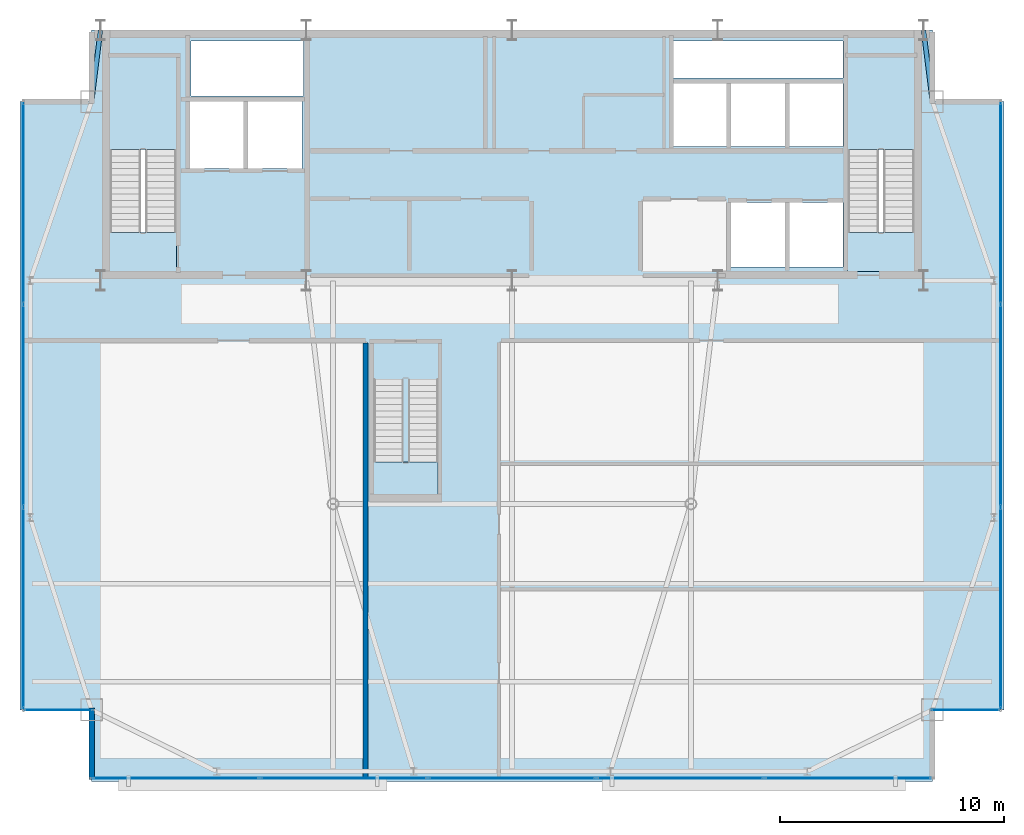
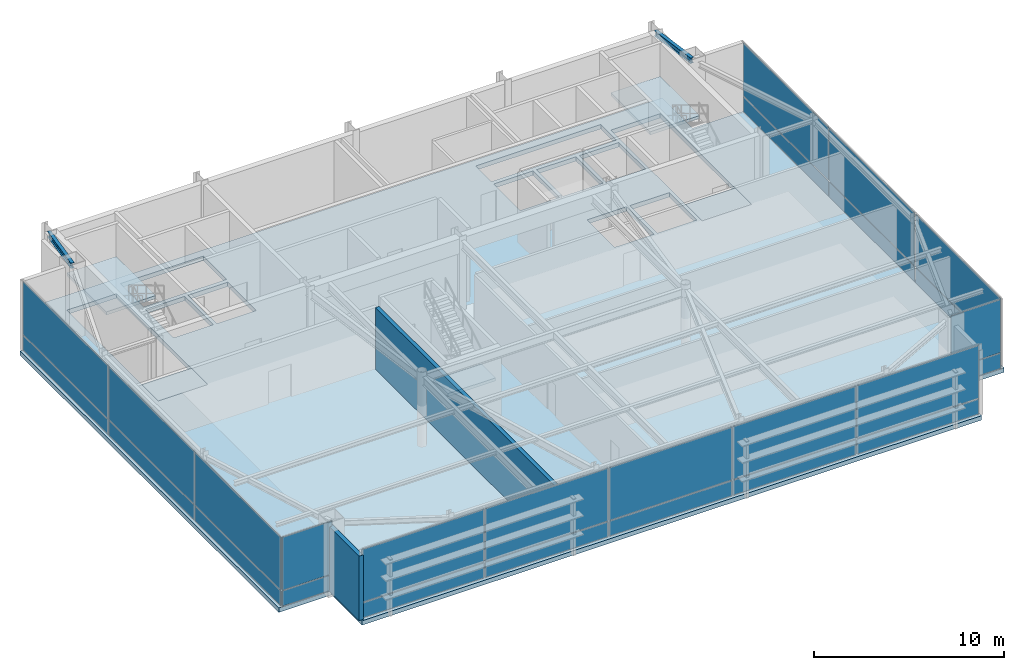
# One storey, part 17 of 21: 26 plates, 6 slabs, 2 beams, 2 walls, 8 elements without a shape of their own.
"""IFC4 building model written with IfcOpenShell, lengths in metres."""

import ifcopenshell
import ifcopenshell.guid

model = None  # the IFC model being written
_history = None  # IfcOwnerHistory: only IFC2X3 demands one
_inside = {}  # id of a spatial element -> (the spatial element, [elements in it])
_under = {}  # id of a project, library or spatial element -> (it, [spatial elements below it])
_declared = {}  # id of a project -> (the project, [libraries it declares])
_typed = {}  # id of a type object -> (the type object, [elements of that type])
_made_of = {}  # id of a material, layer set ... -> (it, [elements and type objects made of it])


def new_model(schema):
    """Start an empty IFC model of exactly this schema.

    Asked for "IFC4X3", IfcOpenShell would pick the latest addendum, in which some entities
    have other attributes; the version numbers below select the first issue.
    IFC2X3 requires an IfcOwnerHistory on every rooted entity: one is made here for all.
    """
    global model, _history
    if schema == "IFC4X3":
        model = ifcopenshell.file(schema_version=(4, 3, 0, 0))
    else:
        model = ifcopenshell.file(schema=schema)
    _inside.clear()
    _under.clear()
    _declared.clear()
    _typed.clear()
    _made_of.clear()
    _history = None
    if model.schema == "IFC2X3":
        org = make("IfcOrganization", Name="unknown")
        user = make(
            "IfcPersonAndOrganization",
            ThePerson=make("IfcPerson", FamilyName="unknown"),
            TheOrganization=org,
        )
        app = make(
            "IfcApplication",
            ApplicationDeveloper=org,
            Version="unknown",
            ApplicationFullName="unknown",
            ApplicationIdentifier="unknown",
        )
        _history = make(
            "IfcOwnerHistory",
            OwningUser=user,
            OwningApplication=app,
            ChangeAction="ADDED",
            CreationDate=0,
        )
    return model


def make(cls, **values):
    """One entity of the class cls with the attributes given. An attribute that is None is left unset."""
    return model.create_entity(
        cls, **{name: value for name, value in values.items() if value is not None}
    )


def rooted(cls, **values):
    """An entity with a GlobalId (a new one), such as an element, a storey or a relation."""
    return make(cls, GlobalId=ifcopenshell.guid.new(), OwnerHistory=_history, **values)


def si_unit(unit_type, name, prefix=None):
    """IfcSIUnit, for example si_unit("LENGTHUNIT", "METRE", prefix="MILLI")."""
    return make("IfcSIUnit", UnitType=unit_type, Prefix=prefix, Name=name)


def assignment(units):
    """IfcUnitAssignment: the units of a project."""
    return None if units is None else make("IfcUnitAssignment", Units=units)


def point(xyz):
    """IfcCartesianPoint."""
    return None if xyz is None else make("IfcCartesianPoint", Coordinates=xyz)


def direction(xyz):
    """IfcDirection."""
    return None if xyz is None else make("IfcDirection", DirectionRatios=xyz)


def frame(location, z_axis=None, x_axis=None):
    """IfcAxis2Placement3D, a coordinate frame: its origin and axes. An axis left out is left unset."""
    return make(
        "IfcAxis2Placement3D",
        Location=point(location),
        Axis=direction(z_axis),
        RefDirection=direction(x_axis),
    )


def frame_2d(location, x_axis=None):
    """IfcAxis2Placement2D, a coordinate frame in the plane: its origin and x axis."""
    return make(
        "IfcAxis2Placement2D", Location=point(location), RefDirection=direction(x_axis)
    )


def origin():
    """The frame at (0, 0, 0) with its axes left unset."""
    return frame((0.0, 0.0, 0.0))


def origin_2d():
    """The frame at (0, 0) in the plane with its x axis left unset."""
    return frame_2d((0.0, 0.0))


def place(relative_to, where):
    """IfcLocalPlacement: puts the frame where relative to a parent placement (None: the world)."""
    return make(
        "IfcLocalPlacement", PlacementRelTo=relative_to, RelativePlacement=where
    )


def context(
    kind, dimensions, precision=None, world=None, true_north=None, identifier=None
):
    """IfcGeometricRepresentationContext, for example the 3D "Model" context."""
    return make(
        "IfcGeometricRepresentationContext",
        ContextIdentifier=identifier,
        ContextType=kind,
        CoordinateSpaceDimension=dimensions,
        Precision=precision,
        WorldCoordinateSystem=world,
        TrueNorth=true_north,
    )


def subcontext(parent, identifier, kind, view, scale=None):
    """IfcGeometricRepresentationSubContext, for example "Body" below "Model"."""
    return make(
        "IfcGeometricRepresentationSubContext",
        ContextIdentifier=identifier,
        ContextType=kind,
        ParentContext=parent,
        TargetScale=scale,
        TargetView=view,
    )


def project(units=None, contexts=None):
    """IfcProject with its units and contexts."""
    return rooted(
        "IfcProject",
        Name="project",
        RepresentationContexts=contexts,
        UnitsInContext=assignment(units),
    )


def spatial(cls, under=None, at=None, **own):
    """A site, building, storey or space (cls), placed at a placement, below another one or the project."""
    s = rooted(cls, ObjectPlacement=at, **own)
    if under is not None:
        _under.setdefault(under.id(), (under, []))[1].append(s)
    return s


def polyline(points):
    """IfcPolyline through the points."""
    return make("IfcPolyline", Points=[point(p) for p in points])


def profile(cls, at=None, kind="AREA", **sizes):
    """A parametric profile (cls). Its sizes go by their IFC names, for example OverallWidth=200.0."""
    return make(cls, ProfileType=kind, Position=at, **sizes)


def rectangle(**sizes):
    """IfcRectangleProfileDef."""
    return profile("IfcRectangleProfileDef", **sizes)


def i_section(**sizes):
    """IfcIShapeProfileDef."""
    return profile("IfcIShapeProfileDef", **sizes)


def outline(outer, holes=None, kind="AREA"):
    """IfcArbitraryClosedProfileDef: a profile drawn as a closed curve; with holes, ...WithVoids."""
    if holes is None:
        return make("IfcArbitraryClosedProfileDef", ProfileType=kind, OuterCurve=outer)
    return make(
        "IfcArbitraryProfileDefWithVoids",
        ProfileType=kind,
        OuterCurve=outer,
        InnerCurves=holes,
    )


def extrude(swept, where, along, depth):
    """IfcExtrudedAreaSolid: the profile swept, set in the frame where, extruded along a direction by depth."""
    return make(
        "IfcExtrudedAreaSolid",
        SweptArea=swept,
        Position=where,
        ExtrudedDirection=direction(along),
        Depth=depth,
    )


def shape(context_of_items, identifier, shape_type, items):
    """IfcShapeRepresentation: the items that make up one representation, for example the "Body"."""
    return make(
        "IfcShapeRepresentation",
        ContextOfItems=context_of_items,
        RepresentationIdentifier=identifier,
        RepresentationType=shape_type,
        Items=items,
    )


def source(mapping_origin, context_of_items, identifier, shape_type, items):
    """IfcRepresentationMap: a shape defined once, which mapped items show again and again."""
    return make(
        "IfcRepresentationMap",
        MappingOrigin=mapping_origin,
        MappedRepresentation=shape(context_of_items, identifier, shape_type, items),
    )


def transform(
    local_origin,
    x_axis=None,
    y_axis=None,
    z_axis=None,
    scale=None,
    scale2=None,
    scale3=None,
    uniform=True,
):
    """IfcCartesianTransformationOperator3D, or its non-uniform kind. x_axis, y_axis, z_axis: its Axis1, 2, 3."""
    if uniform:
        return make(
            "IfcCartesianTransformationOperator3D",
            Axis1=direction(x_axis),
            Axis2=direction(y_axis),
            LocalOrigin=point(local_origin),
            Scale=scale,
            Axis3=direction(z_axis),
        )
    return make(
        "IfcCartesianTransformationOperator3DnonUniform",
        Axis1=direction(x_axis),
        Axis2=direction(y_axis),
        LocalOrigin=point(local_origin),
        Scale=scale,
        Axis3=direction(z_axis),
        Scale2=scale2,
        Scale3=scale3,
    )


def mapped(mapping_source, mapping_target):
    """IfcMappedItem: shows the shape of a source again, moved by a transform."""
    return make(
        "IfcMappedItem", MappingSource=mapping_source, MappingTarget=mapping_target
    )


def material(Name=None, Category=None):
    """IfcMaterial."""
    return make("IfcMaterial", Name=Name, Category=Category)


def layer(
    of_material, thickness, ventilated=None, Name=None, Category=None, Priority=None
):
    """IfcMaterialLayer: one layer of a wall or slab, of a material (None: an air gap)."""
    return make(
        "IfcMaterialLayer",
        Material=of_material,
        LayerThickness=thickness,
        IsVentilated=ventilated,
        Name=Name,
        Category=Category,
        Priority=Priority,
    )


def layer_set(layers, Name=None):
    """IfcMaterialLayerSet."""
    return make("IfcMaterialLayerSet", MaterialLayers=layers, LayerSetName=Name)


def material_profile(
    of_material, cross_section, Name=None, Category=None, Priority=None
):
    """IfcMaterialProfile: a cross section and its material."""
    return make(
        "IfcMaterialProfile",
        Name=Name,
        Material=of_material,
        Profile=cross_section,
        Priority=Priority,
        Category=Category,
    )


def profile_set(profiles, Name=None, composite=None):
    """IfcMaterialProfileSet."""
    return make(
        "IfcMaterialProfileSet",
        Name=Name,
        MaterialProfiles=profiles,
        CompositeProfile=composite,
    )


def made_of(thing, what):
    """Note that an element or type object is made of a material, layer set ...; save() writes the relation."""
    if what is not None:
        _made_of.setdefault(what.id(), (what, []))[1].append(thing)
    return thing


def type_object(cls, material=None, **own):
    """A type object (cls), such as IfcWallType, which elements share."""
    return made_of(rooted(cls, **own), material)


def type_shapes(of_type, sources):
    """Give a type object the sources (RepresentationMaps) that its elements show as mapped items."""
    of_type.RepresentationMaps = sources


def element(
    cls,
    number,
    at=None,
    inside=None,
    cuts=None,
    type_object=None,
    material=None,
    context=None,
    identifier="Body",
    shape_type=None,
    held_by="IfcProductDefinitionShape",
    body=None,
    shapes=None,
    **own,
):
    """One element of the class cls, such as IfcWall. Its Tag is "e" and its number.

    at: its placement. inside: the storey or other place that contains it. cuts: it is an
    opening in that element (IfcRelVoidsElement). A single representation is given by context,
    identifier, shape_type and body (its items); several are given by shapes. held_by: the class
    of the entity that holds the representations. save() writes the other relations.
    """
    e = rooted(cls, Tag="e%d" % number, ObjectPlacement=at, **own)
    if body is not None:
        shapes = [shape(context, identifier, shape_type, body)]
    if shapes is not None:
        e.Representation = make(held_by, Representations=shapes)
    if inside is not None:
        _inside.setdefault(inside.id(), (inside, []))[1].append(e)
    if cuts is not None:
        rooted(
            "IfcRelVoidsElement", RelatingBuildingElement=cuts, RelatedOpeningElement=e
        )
    if type_object is not None:
        _typed.setdefault(type_object.id(), (type_object, []))[1].append(e)
    return made_of(e, material)


def aggregate(whole, parts):
    """IfcRelAggregates: a whole, such as a stair, and the parts it consists of."""
    return rooted("IfcRelAggregates", RelatingObject=whole, RelatedObjects=parts)


def save(model, path):
    """Write the relations noted so far, then the file.

    IfcRelAggregates (storeys below a building ...), IfcRelContainedInSpatialStructure (elements
    in a storey), IfcRelDefinesByType, IfcRelAssociatesMaterial and IfcRelDeclares: one each for
    every whole, place, type object, material and project.
    """
    for whole, parts in _under.values():
        aggregate(whole, parts)
    for where, things in _inside.values():
        rooted(
            "IfcRelContainedInSpatialStructure",
            RelatedElements=things,
            RelatingStructure=where,
        )
    for kind, things in _typed.values():
        rooted("IfcRelDefinesByType", RelatedObjects=things, RelatingType=kind)
    for what, things in _made_of.values():
        rooted("IfcRelAssociatesMaterial", RelatedObjects=things, RelatingMaterial=what)
    for by, libraries in _declared.values():
        rooted("IfcRelDeclares", RelatingContext=by, RelatedDefinitions=libraries)
    model.write(path)


model = new_model("IFC4")

# Units and contexts
model_context = context("Model", 3, precision=1e-05, world=origin(), true_north=direction((0.0, 1.0)))
body_context = subcontext(model_context, "Body", "Model", "MODEL_VIEW")
ifc_project = project(units=[si_unit("LENGTHUNIT", "METRE"), si_unit("AREAUNIT", "SQUARE_METRE"), si_unit("VOLUMEUNIT", "CUBIC_METRE"), si_unit("PLANEANGLEUNIT", "RADIAN"), si_unit("MASSUNIT", "GRAM", prefix="KILO")], contexts=[model_context])

# Site, building, storey
site_placement = place(None, origin())
site = spatial("IfcSite", under=ifc_project, at=site_placement, CompositionType="ELEMENT")
building_placement = place(site_placement, origin())
building = spatial("IfcBuilding", under=site, at=building_placement, Name="Varnel Quay Broadcast Tower", CompositionType="ELEMENT")
storey_placement = place(building_placement, frame((0.0, 0.0, 300.199951171875)))
storey = spatial("IfcBuildingStorey", under=building, at=storey_placement, Name="L75", CompositionType="ELEMENT", Elevation=300.199951171875)

# Beams
ifc_material_1 = material(Name="Structural Steel CSA G40.21 350W", Category="steel")
ifc_material_profile = material_profile(ifc_material_1, i_section(OverallWidth=0.205078125, OverallDepth=0.35400390625, WebThickness=0.009521484375, FlangeThickness=0.016845703125, FilletRadius=0.012939453125, at=origin_2d()), Name="W360X79")
ifc_profile_set = profile_set([ifc_material_profile], Name="Structural Steel CSA G40.21 350W")
beam_type = type_object("IfcBeamType", Name="Beam_W360X79", PredefinedType="SPANDREL", material=ifc_profile_set)
shared_shape_1 = source(origin(), body_context, "Body", "SweptSolid", [
    extrude(i_section(OverallWidth=0.205078125, OverallDepth=0.35400390625, WebThickness=0.009521484375, FlangeThickness=0.016845703125, FilletRadius=0.012939453125, at=origin_2d()), origin(), (0.0, 0.0, 1.0), 3.18505859375),
])
type_shapes(beam_type, [shared_shape_1])
for number, where, z_axis, x_axis, name in (
    (1, (15.202392578125, 43.619873046875, 4.343017578125), (0.124025300311, 0.992279055953, 0.0), (-0.992279055953, 0.124025300311, 0.0), "L75 NW Tie Spandrel"),
    (2, (52.402587890625, 46.7802734375, 4.343017578125), (0.124025300311, -0.992279055953, 0.0), (0.992279055953, 0.124025300311, 0.0), "L75 NE Tie Spandrel"),
):
    element("IfcBeam", number, at=place(storey_placement, frame(where, z_axis=z_axis, x_axis=x_axis)), inside=storey, type_object=beam_type, Name=name, PredefinedType="SPANDREL", context=body_context, shape_type="MappedRepresentation", body=[
        mapped(shared_shape_1, transform((0.0, 0.0, 0.0), x_axis=(1.0, 0.0, 0.0), y_axis=(0.0, 1.0, 0.0), z_axis=(0.0, 0.0, 1.0), scale=1.0)),
    ])

# Slabs
ifc_material_2 = material(Name="Concrete CSA A23.3 C50/60", Category="concrete")
ifc_layer_1 = layer(ifc_material_2, 0.280029296875, Name="Concrete CSA A23.3 C50/60")
ifc_layer_set_1 = layer_set([ifc_layer_1], Name="Concrete CSA A23.3 C50/60")
slab_type_1 = type_object("IfcSlabType", Name="Slab_Floor280", PredefinedType="FLOOR", material=ifc_layer_set_1)
slab_1_placement = place(storey_placement, frame((0.0, 0.0, -0.280029296875)))
element("IfcSlab", 3, at=slab_1_placement, inside=storey, type_object=slab_type_1, Name="L75 Structural Slab", PredefinedType="FLOOR", context=body_context, shape_type="SweptSolid", body=[
    extrude(outline(polyline([(15.199951171875, 13.199951171875), (52.800048828125, 13.199951171875), (52.800048828125, 16.39990234375), (56.0, 16.39990234375), (56.0, 43.60009765625), (52.800048828125, 43.60009765625), (52.800048828125, 46.800048828125), (15.199951171875, 46.800048828125), (15.199951171875, 43.60009765625), (12.0, 43.60009765625), (12.0, 16.39990234375), (15.199951171875, 16.39990234375), (15.199951171875, 13.199951171875)]), holes=[polyline([(19.0, 36.0), (16.0, 36.0), (16.0, 45.60009765625), (19.0, 45.60009765625), (19.0, 36.0)]), polyline([(19.60009765625, 40.60009765625), (19.60009765625, 43.60009765625), (22.0, 43.60009765625), (22.0, 40.60009765625), (19.60009765625, 40.60009765625)]), polyline([(22.199951171875, 40.60009765625), (22.199951171875, 43.60009765625), (24.60009765625, 43.60009765625), (24.60009765625, 40.60009765625), (22.199951171875, 40.60009765625)]), polyline([(41.199951171875, 44.39990234375), (43.60009765625, 44.39990234375), (43.60009765625, 41.60009765625), (41.199951171875, 41.60009765625), (41.199951171875, 44.39990234375)]), polyline([(43.800048828125, 44.39990234375), (46.199951171875, 44.39990234375), (46.199951171875, 41.60009765625), (43.800048828125, 41.60009765625), (43.800048828125, 44.39990234375)]), polyline([(19.64990234375, 43.85009765625), (19.64990234375, 46.300048828125), (24.679931640625, 46.300048828125), (24.679931640625, 43.85009765625), (19.64990234375, 43.85009765625)]), polyline([(43.800048828125, 39.10009765625), (46.199951171875, 39.10009765625), (46.199951171875, 36.199951171875), (43.800048828125, 36.199951171875), (43.800048828125, 39.10009765625)]), polyline([(46.39990234375, 39.10009765625), (48.800048828125, 39.10009765625), (48.800048828125, 36.199951171875), (46.39990234375, 36.199951171875), (46.39990234375, 39.10009765625)]), polyline([(52.0, 36.0), (49.0, 36.0), (49.0, 45.60009765625), (52.0, 45.60009765625), (52.0, 36.0)]), polyline([(46.39990234375, 44.39990234375), (48.800048828125, 44.39990234375), (48.800048828125, 41.60009765625), (46.39990234375, 41.60009765625), (46.39990234375, 44.39990234375)]), polyline([(41.199951171875, 46.300048828125), (48.800048828125, 46.300048828125), (48.800048828125, 44.64990234375), (41.199951171875, 44.64990234375), (41.199951171875, 46.300048828125)])]), origin(), (0.0, 0.0, 1.0), 0.280029296875),
])
ifc_layer_2 = layer(ifc_material_2, 0.25, Name="Concrete CSA A23.3 C50/60")
ifc_layer_set_2 = layer_set([ifc_layer_2], Name="Concrete CSA A23.3 C50/60")
slab_type_2 = type_object("IfcSlabType", Name="Slab_StairFloorLanding250", PredefinedType="FLOOR", material=ifc_layer_set_2)
slab_2_placement = place(storey_placement, frame((0.0, 0.0, -0.280029296875)))
element("IfcSlab", 4, at=slab_2_placement, inside=storey, type_object=slab_type_2, Name="L75 ST-01 Structural Floor Landing Slab", PredefinedType="FLOOR", context=body_context, shape_type="SweptSolid", body=[
    extrude(outline(polyline([(19.0, 36.0), (19.0, 37.75), (16.0, 37.75), (16.0, 36.0), (19.0, 36.0)])), origin(), (0.0, 0.0, 1.0), 0.280029296875),
])
slab_3_placement = place(storey_placement, frame((0.0, 0.0, -0.280029296875)))
element("IfcSlab", 5, at=slab_3_placement, inside=storey, type_object=slab_type_2, Name="L75 ST-02 Structural Floor Landing Slab", PredefinedType="FLOOR", context=body_context, shape_type="SweptSolid", body=[
    extrude(outline(polyline([(52.0, 36.0), (52.0, 37.75), (49.0, 37.75), (49.0, 36.0), (52.0, 36.0)])), origin(), (0.0, 0.0, 1.0), 0.280029296875),
])

# Stair, slab
ifc_material_3 = material(Name="Precast Structural Concrete C40/50", Category="concrete")
stair_type_1 = type_object("IfcStairType", Name="Stair_ST-01", PredefinedType="HALF_TURN_STAIR", material=ifc_material_3)
stair_1_placement = place(storey_placement, origin())
stair_1 = element("IfcStair", 6, at=stair_1_placement, inside=storey, type_object=stair_type_1, Name="L75 West Core Exit Stair 1", PredefinedType="HALF_TURN_STAIR")
ifc_layer_3 = layer(ifc_material_3, 0.199951171875, Name="Precast Structural Concrete C40/50")
ifc_layer_set_3 = layer_set([ifc_layer_3], Name="Precast Structural Concrete C40/50")
slab_type_3 = type_object("IfcSlabType", Name="Slab_StairLanding200", PredefinedType="LANDING", material=ifc_layer_set_3)
slab_4_placement = place(storey_placement, frame((0.0, 0.0, 2.199951171875)))
slab_4 = element("IfcSlab", 7, at=slab_4_placement, type_object=slab_type_3, Name="ST-01 landing 1", PredefinedType="LANDING", context=body_context, shape_type="SweptSolid", body=[
    extrude(outline(polyline([(19.0, 41.455078125), (19.0, 45.60009765625), (16.0, 45.60009765625), (16.0, 41.455078125), (19.0, 41.455078125)])), origin(), (0.0, 0.0, 1.0), 0.2001953125),
])
aggregate(stair_1, [slab_4])

stair_type_2 = type_object("IfcStairType", Name="Stair_ST-02", PredefinedType="HALF_TURN_STAIR", material=ifc_material_3)
stair_2_placement = place(storey_placement, origin())
stair_2 = element("IfcStair", 8, at=stair_2_placement, inside=storey, type_object=stair_type_2, Name="L75 East Core Exit Stair 2", PredefinedType="HALF_TURN_STAIR")
slab_5_placement = place(storey_placement, frame((0.0, 0.0, 2.199951171875)))
slab_5 = element("IfcSlab", 9, at=slab_5_placement, type_object=slab_type_3, Name="ST-02 landing 1", PredefinedType="LANDING", context=body_context, shape_type="SweptSolid", body=[
    extrude(outline(polyline([(52.0, 41.455078125), (52.0, 45.60009765625), (49.0, 45.60009765625), (49.0, 41.455078125), (52.0, 41.455078125)])), origin(), (0.0, 0.0, 1.0), 0.2001953125),
])
aggregate(stair_2, [slab_5])

stair_type_3 = type_object("IfcStairType", Name="Stair_ST-04", PredefinedType="HALF_TURN_STAIR", material=ifc_material_3)
stair_3_placement = place(storey_placement, origin())
stair_3 = element("IfcStair", 10, at=stair_3_placement, inside=storey, type_object=stair_type_3, Name="L75 Observation Gallery Stair 4", PredefinedType="HALF_TURN_STAIR")
slab_6_placement = place(storey_placement, frame((0.0, 0.0, 2.199951171875)))
slab_6 = element("IfcSlab", 11, at=slab_6_placement, type_object=slab_type_3, Name="ST-04 landing 1", PredefinedType="LANDING", context=body_context, shape_type="SweptSolid", body=[
    extrude(outline(polyline([(27.800048828125, 27.4951171875), (27.800048828125, 26.0), (30.699951171875, 26.0), (30.699951171875, 27.4951171875), (27.800048828125, 27.4951171875)])), origin(), (0.0, 0.0, 1.0), 0.2001953125),
])
aggregate(stair_3, [slab_6])

# Curtain wall, plates
ifc_material_4 = material(Name="Anodised Bronze Aluminium 6063-T6", Category="aluminium")
ifc_layer_4 = layer(ifc_material_4, 0.18994140625, Name="Anodised Bronze Aluminium 6063-T6")
ifc_layer_set_4 = layer_set([ifc_layer_4], Name="Anodised Bronze Aluminium 6063-T6")
curtain_wall_type_1 = type_object("IfcCurtainWallType", Name="CW_SkyObsHighVis", PredefinedType="NOTDEFINED", material=ifc_layer_set_4)
curtain_wall_1_placement = place(storey_placement, origin())
curtain_wall_1 = element("IfcCurtainWall", 12, at=curtain_wall_1_placement, inside=storey, type_object=curtain_wall_type_1, Name="L75 South Unitised Curtain Wall 1", PredefinedType="NOTDEFINED")
ifc_material_5 = material(Name="Triple-Glazed Clear High-Vision Low-E Glass", Category="glass")
ifc_layer_5 = layer(ifc_material_5, 0.0380859375, Name="Triple-Glazed Clear High-Vision Low-E Glass")
ifc_layer_set_5 = layer_set([ifc_layer_5], Name="Triple-Glazed Clear High-Vision Low-E Glass")
plate_type_1 = type_object("IfcPlateType", Name="Panel_CWS-05", PredefinedType="CURTAIN_PANEL", material=ifc_layer_set_5)
shared_shape_2 = source(origin(), body_context, "Body", "SweptSolid", [
    extrude(rectangle(XDim=7.407470703125, YDim=0.0380859375, at=origin_2d()), origin(), (0.0, 0.0, 1.0), 0.9599609375),
])
plate_1_placement = place(storey_placement, frame((18.978759765625, 13.35009765625, 0.06005859375), z_axis=(0.0, 0.0, 1.0), x_axis=(1.0, 0.0, 0.0)))
plate_1 = element("IfcPlate", 13, at=plate_1_placement, type_object=plate_type_1, Name="CWS-05 panel 1.1", PredefinedType="CURTAIN_PANEL", context=body_context, shape_type="MappedRepresentation", body=[
    mapped(shared_shape_2, transform((0.0, 0.0, 0.0), x_axis=(1.0, 0.0, 0.0), y_axis=(0.0, 1.0, 0.0), z_axis=(0.0, 0.0, 1.0), scale=1.0)),
])
plate_2_placement = place(storey_placement, frame((49.021240234375, 13.35009765625, 0.06005859375), z_axis=(0.0, 0.0, 1.0), x_axis=(1.0, 0.0, 0.0)))
plate_2 = element("IfcPlate", 14, at=plate_2_placement, type_object=plate_type_1, Name="CWS-05 panel 5.1", PredefinedType="CURTAIN_PANEL", context=body_context, shape_type="MappedRepresentation", body=[
    mapped(shared_shape_2, transform((0.0, 0.0, 0.0), x_axis=(1.0, 0.0, 0.0), y_axis=(0.0, 1.0, 0.0), z_axis=(0.0, 0.0, 1.0), scale=1.0)),
])
shared_shape_3 = source(origin(), body_context, "Body", "SweptSolid", [
    extrude(rectangle(XDim=7.407470703125, YDim=0.0380859375, at=origin_2d()), origin(), (0.0, 0.0, 1.0), 3.3798828125),
])
plate_3_placement = place(storey_placement, frame((18.978759765625, 13.35009765625, 1.080078125), z_axis=(0.0, 0.0, 1.0), x_axis=(1.0, 0.0, 0.0)))
plate_3 = element("IfcPlate", 15, at=plate_3_placement, type_object=plate_type_1, Name="CWS-05 panel 1.2", PredefinedType="CURTAIN_PANEL", context=body_context, shape_type="MappedRepresentation", body=[
    mapped(shared_shape_3, transform((0.0, 0.0, 0.0), x_axis=(1.0, 0.0, 0.0), y_axis=(0.0, 1.0, 0.0), z_axis=(0.0, 0.0, 1.0), scale=1.0)),
])
plate_4_placement = place(storey_placement, frame((49.021240234375, 13.35009765625, 1.080078125), z_axis=(0.0, 0.0, 1.0), x_axis=(1.0, 0.0, 0.0)))
plate_4 = element("IfcPlate", 16, at=plate_4_placement, type_object=plate_type_1, Name="CWS-05 panel 5.2", PredefinedType="CURTAIN_PANEL", context=body_context, shape_type="MappedRepresentation", body=[
    mapped(shared_shape_3, transform((0.0, 0.0, 0.0), x_axis=(1.0, 0.0, 0.0), y_axis=(0.0, 1.0, 0.0), z_axis=(0.0, 0.0, 1.0), scale=1.0)),
])
shared_shape_4 = source(origin(), body_context, "Body", "SweptSolid", [
    extrude(rectangle(XDim=7.445068359375, YDim=0.0380859375, at=origin_2d()), origin(), (0.0, 0.0, 1.0), 0.9599609375),
])
plate_5_placement = place(storey_placement, frame((26.47998046875, 13.35009765625, 0.06005859375), z_axis=(0.0, 0.0, 1.0), x_axis=(1.0, 0.0, 0.0)))
plate_5 = element("IfcPlate", 17, at=plate_5_placement, type_object=plate_type_1, Name="CWS-05 panel 2.1", PredefinedType="CURTAIN_PANEL", context=body_context, shape_type="MappedRepresentation", body=[
    mapped(shared_shape_4, transform((0.0, 0.0, 0.0), x_axis=(1.0, 0.0, 0.0), y_axis=(0.0, 1.0, 0.0), z_axis=(0.0, 0.0, 1.0), scale=1.0)),
])
plate_6_placement = place(storey_placement, frame((34.0, 13.35009765625, 0.06005859375), z_axis=(0.0, 0.0, 1.0), x_axis=(1.0, 0.0, 0.0)))
plate_6 = element("IfcPlate", 18, at=plate_6_placement, type_object=plate_type_1, Name="CWS-05 panel 3.1", PredefinedType="CURTAIN_PANEL", context=body_context, shape_type="MappedRepresentation", body=[
    mapped(shared_shape_4, transform((0.0, 0.0, 0.0), x_axis=(1.0, 0.0, 0.0), y_axis=(0.0, 1.0, 0.0), z_axis=(0.0, 0.0, 1.0), scale=1.0)),
])
plate_7_placement = place(storey_placement, frame((41.52001953125, 13.35009765625, 0.06005859375), z_axis=(0.0, 0.0, 1.0), x_axis=(1.0, 0.0, 0.0)))
plate_7 = element("IfcPlate", 19, at=plate_7_placement, type_object=plate_type_1, Name="CWS-05 panel 4.1", PredefinedType="CURTAIN_PANEL", context=body_context, shape_type="MappedRepresentation", body=[
    mapped(shared_shape_4, transform((0.0, 0.0, 0.0), x_axis=(1.0, 0.0, 0.0), y_axis=(0.0, 1.0, 0.0), z_axis=(0.0, 0.0, 1.0), scale=1.0)),
])
shared_shape_5 = source(origin(), body_context, "Body", "SweptSolid", [
    extrude(rectangle(XDim=7.445068359375, YDim=0.0380859375, at=origin_2d()), origin(), (0.0, 0.0, 1.0), 3.3798828125),
])
plate_8_placement = place(storey_placement, frame((26.47998046875, 13.35009765625, 1.080078125), z_axis=(0.0, 0.0, 1.0), x_axis=(1.0, 0.0, 0.0)))
plate_8 = element("IfcPlate", 20, at=plate_8_placement, type_object=plate_type_1, Name="CWS-05 panel 2.2", PredefinedType="CURTAIN_PANEL", context=body_context, shape_type="MappedRepresentation", body=[
    mapped(shared_shape_5, transform((0.0, 0.0, 0.0), x_axis=(1.0, 0.0, 0.0), y_axis=(0.0, 1.0, 0.0), z_axis=(0.0, 0.0, 1.0), scale=1.0)),
])
plate_9_placement = place(storey_placement, frame((34.0, 13.35009765625, 1.080078125), z_axis=(0.0, 0.0, 1.0), x_axis=(1.0, 0.0, 0.0)))
plate_9 = element("IfcPlate", 21, at=plate_9_placement, type_object=plate_type_1, Name="CWS-05 panel 3.2", PredefinedType="CURTAIN_PANEL", context=body_context, shape_type="MappedRepresentation", body=[
    mapped(shared_shape_5, transform((0.0, 0.0, 0.0), x_axis=(1.0, 0.0, 0.0), y_axis=(0.0, 1.0, 0.0), z_axis=(0.0, 0.0, 1.0), scale=1.0)),
])
plate_10_placement = place(storey_placement, frame((41.52001953125, 13.35009765625, 1.080078125), z_axis=(0.0, 0.0, 1.0), x_axis=(1.0, 0.0, 0.0)))
plate_10 = element("IfcPlate", 22, at=plate_10_placement, type_object=plate_type_1, Name="CWS-05 panel 4.2", PredefinedType="CURTAIN_PANEL", context=body_context, shape_type="MappedRepresentation", body=[
    mapped(shared_shape_5, transform((0.0, 0.0, 0.0), x_axis=(1.0, 0.0, 0.0), y_axis=(0.0, 1.0, 0.0), z_axis=(0.0, 0.0, 1.0), scale=1.0)),
])
aggregate(curtain_wall_1, [plate_1, plate_3, plate_5, plate_8, plate_6, plate_9, plate_7, plate_10, plate_2, plate_4])

curtain_wall_2_placement = place(storey_placement, origin())
curtain_wall_2 = element("IfcCurtainWall", 23, at=curtain_wall_2_placement, inside=storey, type_object=curtain_wall_type_1, Name="L75 West Unitised Curtain Wall", PredefinedType="NOTDEFINED")
shared_shape_6 = source(origin(), body_context, "Body", "SweptSolid", [
    extrude(rectangle(XDim=8.9541015625, YDim=0.0380859375, at=origin_2d()), origin(), (0.0, 0.0, 1.0), 0.9599609375),
])
plate_11_placement = place(storey_placement, frame((12.14990234375, 20.9521484375, 0.06005859375), z_axis=(0.0, 0.0, 1.0), x_axis=(0.0, 1.0, 0.0)))
plate_11 = element("IfcPlate", 24, at=plate_11_placement, type_object=plate_type_1, Name="CWS-05 panel 1.1", PredefinedType="CURTAIN_PANEL", context=body_context, shape_type="MappedRepresentation", body=[
    mapped(shared_shape_6, transform((0.0, 0.0, 0.0), x_axis=(1.0, 0.0, 0.0), y_axis=(0.0, 1.0, 0.0), z_axis=(0.0, 0.0, 1.0), scale=1.0)),
])
plate_12_placement = place(storey_placement, frame((12.14990234375, 39.0478515625, 0.06005859375), z_axis=(0.0, 0.0, 1.0), x_axis=(0.0, 1.0, 0.0)))
plate_12 = element("IfcPlate", 25, at=plate_12_placement, type_object=plate_type_1, Name="CWS-05 panel 3.1", PredefinedType="CURTAIN_PANEL", context=body_context, shape_type="MappedRepresentation", body=[
    mapped(shared_shape_6, transform((0.0, 0.0, 0.0), x_axis=(1.0, 0.0, 0.0), y_axis=(0.0, 1.0, 0.0), z_axis=(0.0, 0.0, 1.0), scale=1.0)),
])

curtain_wall_3_placement = place(storey_placement, origin())
curtain_wall_3 = element("IfcCurtainWall", 26, at=curtain_wall_3_placement, inside=storey, type_object=curtain_wall_type_1, Name="L75 East Unitised Curtain Wall", PredefinedType="NOTDEFINED")
plate_13_placement = place(storey_placement, frame((55.85009765625, 20.9521484375, 0.06005859375), z_axis=(0.0, 0.0, 1.0), x_axis=(0.0, 1.0, 0.0)))
plate_13 = element("IfcPlate", 27, at=plate_13_placement, type_object=plate_type_1, Name="CWS-05 panel 1.1", PredefinedType="CURTAIN_PANEL", context=body_context, shape_type="MappedRepresentation", body=[
    mapped(shared_shape_6, transform((0.0, 0.0, 0.0), x_axis=(1.0, 0.0, 0.0), y_axis=(0.0, 1.0, 0.0), z_axis=(0.0, 0.0, 1.0), scale=1.0)),
])
plate_14_placement = place(storey_placement, frame((55.85009765625, 39.0478515625, 0.06005859375), z_axis=(0.0, 0.0, 1.0), x_axis=(0.0, 1.0, 0.0)))
plate_14 = element("IfcPlate", 28, at=plate_14_placement, type_object=plate_type_1, Name="CWS-05 panel 3.1", PredefinedType="CURTAIN_PANEL", context=body_context, shape_type="MappedRepresentation", body=[
    mapped(shared_shape_6, transform((0.0, 0.0, 0.0), x_axis=(1.0, 0.0, 0.0), y_axis=(0.0, 1.0, 0.0), z_axis=(0.0, 0.0, 1.0), scale=1.0)),
])

# Plate
shared_shape_7 = source(origin(), body_context, "Body", "SweptSolid", [
    extrude(rectangle(XDim=8.9541015625, YDim=0.0380859375, at=origin_2d()), origin(), (0.0, 0.0, 1.0), 3.3798828125),
])
plate_15_placement = place(storey_placement, frame((12.14990234375, 20.9521484375, 1.080078125), z_axis=(0.0, 0.0, 1.0), x_axis=(0.0, 1.0, 0.0)))
plate_15 = element("IfcPlate", 29, at=plate_15_placement, type_object=plate_type_1, Name="CWS-05 panel 1.2", PredefinedType="CURTAIN_PANEL", context=body_context, shape_type="MappedRepresentation", body=[
    mapped(shared_shape_7, transform((0.0, 0.0, 0.0), x_axis=(1.0, 0.0, 0.0), y_axis=(0.0, 1.0, 0.0), z_axis=(0.0, 0.0, 1.0), scale=1.0)),
])

plate_16_placement = place(storey_placement, frame((12.14990234375, 39.0478515625, 1.080078125), z_axis=(0.0, 0.0, 1.0), x_axis=(0.0, 1.0, 0.0)))
plate_16 = element("IfcPlate", 30, at=plate_16_placement, type_object=plate_type_1, Name="CWS-05 panel 3.2", PredefinedType="CURTAIN_PANEL", context=body_context, shape_type="MappedRepresentation", body=[
    mapped(shared_shape_7, transform((0.0, 0.0, 0.0), x_axis=(1.0, 0.0, 0.0), y_axis=(0.0, 1.0, 0.0), z_axis=(0.0, 0.0, 1.0), scale=1.0)),
])

plate_17_placement = place(storey_placement, frame((55.85009765625, 20.9521484375, 1.080078125), z_axis=(0.0, 0.0, 1.0), x_axis=(0.0, 1.0, 0.0)))
plate_17 = element("IfcPlate", 31, at=plate_17_placement, type_object=plate_type_1, Name="CWS-05 panel 1.2", PredefinedType="CURTAIN_PANEL", context=body_context, shape_type="MappedRepresentation", body=[
    mapped(shared_shape_7, transform((0.0, 0.0, 0.0), x_axis=(1.0, 0.0, 0.0), y_axis=(0.0, 1.0, 0.0), z_axis=(0.0, 0.0, 1.0), scale=1.0)),
])

plate_18_placement = place(storey_placement, frame((55.85009765625, 39.0478515625, 1.080078125), z_axis=(0.0, 0.0, 1.0), x_axis=(0.0, 1.0, 0.0)))
plate_18 = element("IfcPlate", 32, at=plate_18_placement, type_object=plate_type_1, Name="CWS-05 panel 3.2", PredefinedType="CURTAIN_PANEL", context=body_context, shape_type="MappedRepresentation", body=[
    mapped(shared_shape_7, transform((0.0, 0.0, 0.0), x_axis=(1.0, 0.0, 0.0), y_axis=(0.0, 1.0, 0.0), z_axis=(0.0, 0.0, 1.0), scale=1.0)),
])

shared_shape_8 = source(origin(), body_context, "Body", "SweptSolid", [
    extrude(rectangle(XDim=8.99169921875, YDim=0.0380859375, at=origin_2d()), origin(), (0.0, 0.0, 1.0), 0.9599609375),
])
plate_19_placement = place(storey_placement, frame((12.14990234375, 30.0, 0.06005859375), z_axis=(0.0, 0.0, 1.0), x_axis=(0.0, 1.0, 0.0)))
plate_19 = element("IfcPlate", 33, at=plate_19_placement, type_object=plate_type_1, Name="CWS-05 panel 2.1", PredefinedType="CURTAIN_PANEL", context=body_context, shape_type="MappedRepresentation", body=[
    mapped(shared_shape_8, transform((0.0, 0.0, 0.0), x_axis=(1.0, 0.0, 0.0), y_axis=(0.0, 1.0, 0.0), z_axis=(0.0, 0.0, 1.0), scale=1.0)),
])

plate_20_placement = place(storey_placement, frame((55.85009765625, 30.0, 0.06005859375), z_axis=(0.0, 0.0, 1.0), x_axis=(0.0, 1.0, 0.0)))
plate_20 = element("IfcPlate", 34, at=plate_20_placement, type_object=plate_type_1, Name="CWS-05 panel 2.1", PredefinedType="CURTAIN_PANEL", context=body_context, shape_type="MappedRepresentation", body=[
    mapped(shared_shape_8, transform((0.0, 0.0, 0.0), x_axis=(1.0, 0.0, 0.0), y_axis=(0.0, 1.0, 0.0), z_axis=(0.0, 0.0, 1.0), scale=1.0)),
])

shared_shape_9 = source(origin(), body_context, "Body", "SweptSolid", [
    extrude(rectangle(XDim=8.99169921875, YDim=0.0380859375, at=origin_2d()), origin(), (0.0, 0.0, 1.0), 3.3798828125),
])
type_shapes(plate_type_1, [shared_shape_2, shared_shape_3, shared_shape_4, shared_shape_5, shared_shape_6, shared_shape_7, shared_shape_8, shared_shape_9])
plate_21_placement = place(storey_placement, frame((12.14990234375, 30.0, 1.080078125), z_axis=(0.0, 0.0, 1.0), x_axis=(0.0, 1.0, 0.0)))
plate_21 = element("IfcPlate", 35, at=plate_21_placement, type_object=plate_type_1, Name="CWS-05 panel 2.2", PredefinedType="CURTAIN_PANEL", context=body_context, shape_type="MappedRepresentation", body=[
    mapped(shared_shape_9, transform((0.0, 0.0, 0.0), x_axis=(1.0, 0.0, 0.0), y_axis=(0.0, 1.0, 0.0), z_axis=(0.0, 0.0, 1.0), scale=1.0)),
])

aggregate(curtain_wall_2, [plate_11, plate_15, plate_19, plate_21, plate_12, plate_16])

plate_22_placement = place(storey_placement, frame((55.85009765625, 30.0, 1.080078125), z_axis=(0.0, 0.0, 1.0), x_axis=(0.0, 1.0, 0.0)))
plate_22 = element("IfcPlate", 36, at=plate_22_placement, type_object=plate_type_1, Name="CWS-05 panel 2.2", PredefinedType="CURTAIN_PANEL", context=body_context, shape_type="MappedRepresentation", body=[
    mapped(shared_shape_9, transform((0.0, 0.0, 0.0), x_axis=(1.0, 0.0, 0.0), y_axis=(0.0, 1.0, 0.0), z_axis=(0.0, 0.0, 1.0), scale=1.0)),
])

aggregate(curtain_wall_3, [plate_13, plate_17, plate_20, plate_22, plate_14, plate_18])

# Curtain wall, plate
ifc_layer_6 = layer(ifc_material_4, 0.18994140625, Name="Anodised Bronze Aluminium 6063-T6")
ifc_layer_set_6 = layer_set([ifc_layer_6], Name="Anodised Bronze Aluminium 6063-T6")
curtain_wall_type_2 = type_object("IfcCurtainWallType", Name="CW_NotchCorner", PredefinedType="NOTDEFINED", material=ifc_layer_set_6)
curtain_wall_4_placement = place(storey_placement, origin())
curtain_wall_4 = element("IfcCurtainWall", 37, at=curtain_wall_4_placement, inside=storey, type_object=curtain_wall_type_2, Name="L75 SW Notch Curtain Wall", PredefinedType="NOTDEFINED")
ifc_material_6 = material(Name="Triple-Glazed Bronze Low-E Architectural Glass", Category="glass")
ifc_layer_7 = layer(ifc_material_6, 0.028076171875, Name="Triple-Glazed Bronze Low-E Architectural Glass")
ifc_layer_set_7 = layer_set([ifc_layer_7], Name="Triple-Glazed Bronze Low-E Architectural Glass")
plate_type_2 = type_object("IfcPlateType", Name="Panel_CWS-04", PredefinedType="CURTAIN_PANEL", material=ifc_layer_set_7)
shared_shape_10 = source(origin(), body_context, "Body", "SweptSolid", [
    extrude(rectangle(XDim=3.010009765625, YDim=0.028076171875, at=origin_2d()), origin(), (0.0, 0.0, 1.0), 0.967529296875),
])
plate_23_placement = place(storey_placement, frame((13.715087890625, 16.39990234375, 0.05517578125), z_axis=(0.0, 0.0, 1.0), x_axis=(1.0, 0.0, 0.0)))
plate_23 = element("IfcPlate", 38, at=plate_23_placement, type_object=plate_type_2, Name="CWS-04 panel 1.1", PredefinedType="CURTAIN_PANEL", context=body_context, shape_type="MappedRepresentation", body=[
    mapped(shared_shape_10, transform((0.0, 0.0, 0.0), x_axis=(1.0, 0.0, 0.0), y_axis=(0.0, 1.0, 0.0), z_axis=(0.0, 0.0, 1.0), scale=1.0)),
])

curtain_wall_5_placement = place(storey_placement, origin())
curtain_wall_5 = element("IfcCurtainWall", 39, at=curtain_wall_5_placement, inside=storey, type_object=curtain_wall_type_2, Name="L75 SE Notch Curtain Wall", PredefinedType="NOTDEFINED")
plate_24_placement = place(storey_placement, frame((54.284912109375, 16.39990234375, 0.05517578125), z_axis=(0.0, 0.0, 1.0), x_axis=(1.0, 0.0, 0.0)))
plate_24 = element("IfcPlate", 40, at=plate_24_placement, type_object=plate_type_2, Name="CWS-04 panel 1.1", PredefinedType="CURTAIN_PANEL", context=body_context, shape_type="MappedRepresentation", body=[
    mapped(shared_shape_10, transform((0.0, 0.0, 0.0), x_axis=(1.0, 0.0, 0.0), y_axis=(0.0, 1.0, 0.0), z_axis=(0.0, 0.0, 1.0), scale=1.0)),
])

# Plate
shared_shape_11 = source(origin(), body_context, "Body", "SweptSolid", [
    extrude(rectangle(XDim=3.010009765625, YDim=0.028076171875, at=origin_2d()), origin(), (0.0, 0.0, 1.0), 3.387451171875),
])
type_shapes(plate_type_2, [shared_shape_10, shared_shape_11])
plate_25_placement = place(storey_placement, frame((13.715087890625, 16.39990234375, 1.07763671875), z_axis=(0.0, 0.0, 1.0), x_axis=(1.0, 0.0, 0.0)))
plate_25 = element("IfcPlate", 41, at=plate_25_placement, type_object=plate_type_2, Name="CWS-04 panel 1.2", PredefinedType="CURTAIN_PANEL", context=body_context, shape_type="MappedRepresentation", body=[
    mapped(shared_shape_11, transform((0.0, 0.0, 0.0), x_axis=(1.0, 0.0, 0.0), y_axis=(0.0, 1.0, 0.0), z_axis=(0.0, 0.0, 1.0), scale=1.0)),
])

aggregate(curtain_wall_4, [plate_23, plate_25])

plate_26_placement = place(storey_placement, frame((54.284912109375, 16.39990234375, 1.07763671875), z_axis=(0.0, 0.0, 1.0), x_axis=(1.0, 0.0, 0.0)))
plate_26 = element("IfcPlate", 42, at=plate_26_placement, type_object=plate_type_2, Name="CWS-04 panel 1.2", PredefinedType="CURTAIN_PANEL", context=body_context, shape_type="MappedRepresentation", body=[
    mapped(shared_shape_11, transform((0.0, 0.0, 0.0), x_axis=(1.0, 0.0, 0.0), y_axis=(0.0, 1.0, 0.0), z_axis=(0.0, 0.0, 1.0), scale=1.0)),
])

aggregate(curtain_wall_5, [plate_24, plate_26])

# Walls
ifc_material_7 = material(Name="Precast Architectural Concrete C40/50", Category="concrete")
ifc_layer_8 = layer(ifc_material_7, 0.25, Name="Precast Architectural Concrete C40/50")
ifc_layer_set_8 = layer_set([ifc_layer_8], Name="Precast Architectural Concrete C40/50")
wall_type_1 = type_object("IfcWallType", Name="Wall_ExtTerrace250", PredefinedType="SOLIDWALL", material=ifc_layer_set_8)
wall_1_placement = place(storey_placement, frame((15.199951171875, 13.280029296875, 0.0), z_axis=(0.0, 0.0, 1.0), x_axis=(0.0, 1.0, 0.0)))
element("IfcWall", 43, at=wall_1_placement, inside=storey, type_object=wall_type_1, Name="L75 Mega-Column Notch Cladding Wall NSW2", PredefinedType="SOLIDWALL", context=body_context, shape_type="SweptSolid", body=[
    extrude(rectangle(XDim=3.199951171875, YDim=0.25, at=frame_2d((1.60009765625, 0.0))), origin(), (0.0, 0.0, 1.0), 4.14111328125),
])
ifc_material_8 = material(Name="Steel-Stud Fire-Rated Acoustic Gypsum Partition Assembly", Category="steel")
ifc_layer_9 = layer(ifc_material_8, 0.22509765625, Name="Steel-Stud Fire-Rated Acoustic Gypsum Partition Assembly")
ifc_layer_set_9 = layer_set([ifc_layer_9], Name="Steel-Stud Fire-Rated Acoustic Gypsum Partition Assembly")
wall_type_2 = type_object("IfcWallType", Name="Wall_Partition225", PredefinedType="PARTITIONING", material=ifc_layer_set_9)
wall_2_placement = place(storey_placement, frame((27.449951171875, 13.3798828125, 0.0), z_axis=(0.0, 0.0, 1.0), x_axis=(0.0, 1.0, 0.0)))
element("IfcWall", 44, at=wall_2_placement, inside=storey, type_object=wall_type_2, Name="L75 South Harbour Observation Gallery Partition 8", PredefinedType="PARTITIONING", context=body_context, shape_type="SweptSolid", body=[
    extrude(rectangle(XDim=19.43212890625, YDim=0.22509765625, at=frame_2d((9.716064453125, 0.0))), origin(), (0.0, 0.0, 1.0), 3.950927734375),
])

save(model, "model.ifc")
